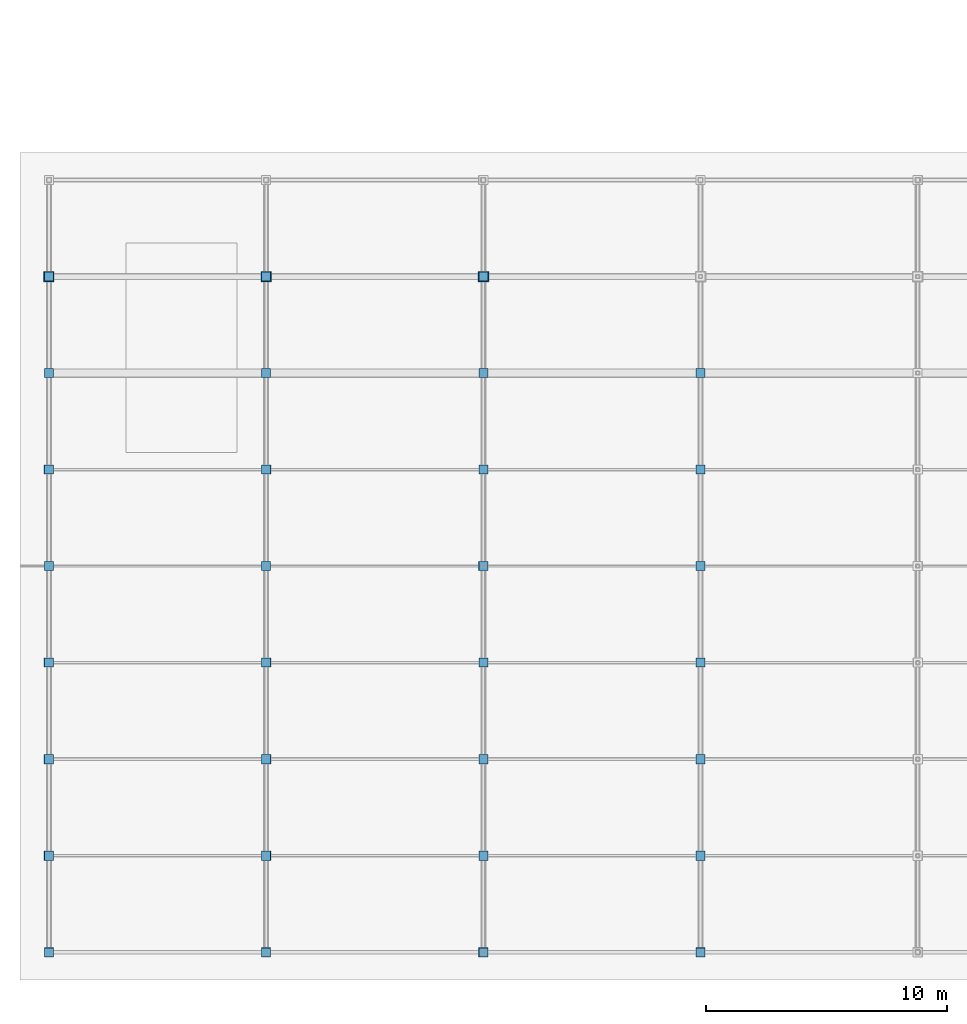
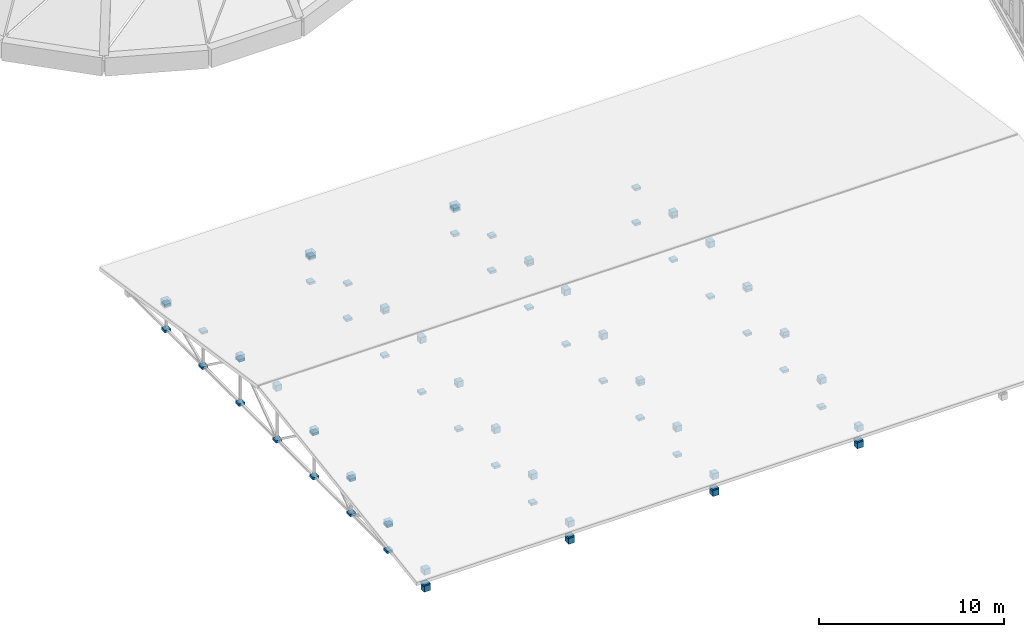
# One storey, part 108 of 118: 85 discrete accessories.
"""IFC4 building model written with IfcOpenShell, lengths in metres."""

from ifc_helpers import new_model, si_unit, direction, frame, origin, place, context, subcontext, project, spatial, polyline, outline, extrude, material, type_object, element, save


model = new_model("IFC4")

# Units and contexts
model_context = context("Model", 3, precision=1e-05, world=origin(), true_north=direction((0.0, 1.0)))
body_context = subcontext(model_context, "Body", "Model", "MODEL_VIEW")
ifc_project = project(units=[si_unit("LENGTHUNIT", "METRE"), si_unit("AREAUNIT", "SQUARE_METRE"), si_unit("VOLUMEUNIT", "CUBIC_METRE"), si_unit("PLANEANGLEUNIT", "RADIAN"), si_unit("MASSUNIT", "GRAM", prefix="KILO"), si_unit("THERMODYNAMICTEMPERATUREUNIT", "KELVIN"), si_unit("POWERUNIT", "WATT")], contexts=[model_context])

# Site, building, storey
site_placement = place(None, origin())
site = spatial("IfcSite", under=ifc_project, at=site_placement, CompositionType="ELEMENT")
building_placement = place(site_placement, origin())
building = spatial("IfcBuilding", under=site, at=building_placement, Name="Zelmaris Science Centre", CompositionType="ELEMENT")
storey_placement = place(building_placement, frame((0.0, 0.0, 15.60009765625)))
storey = spatial("IfcBuildingStorey", under=building, at=storey_placement, Name="L03", CompositionType="ELEMENT", Elevation=15.60009765625)

# Discrete accessories
ifc_material = material(Name="Steel ASTM A500 Grade C", Category="steel")
discrete_accessory_type = type_object("IfcDiscreteAccessoryType", Name="Hollow Section End Cap Plate BK-ECP", PredefinedType="BRACKET", material=ifc_material)
discrete_accessory_1_placement = place(storey_placement, frame((0.0, 0.0, -0.29345703125)))
element("IfcDiscreteAccessory", 1, at=discrete_accessory_1_placement, inside=storey, type_object=discrete_accessory_type, Name="End cap plate 57", PredefinedType="BRACKET", context=body_context, shape_type="SweptSolid", body=[
    extrude(outline(polyline([(8.81103515625, 7.804931640625), (9.18896484375, 7.804931640625), (9.18896484375, 8.18310546875), (8.81103515625, 8.18310546875), (8.81103515625, 7.804931640625)])), origin(), (0.0, 0.0, 1.0), 0.378173828125),
])
discrete_accessory_2_placement = place(storey_placement, frame((0.0, 0.0, 0.803955078125)))
element("IfcDiscreteAccessory", 2, at=discrete_accessory_2_placement, inside=storey, type_object=discrete_accessory_type, Name="End cap plate 59", PredefinedType="BRACKET", context=body_context, shape_type="SweptSolid", body=[
    extrude(outline(polyline([(8.80908203125, 7.80322265625), (9.19091796875, 7.80322265625), (9.19091796875, 8.184814453125), (8.80908203125, 8.184814453125), (8.80908203125, 7.80322265625)])), origin(), (0.0, 0.0, 1.0), 0.381591796875),
])
discrete_accessory_3_placement = place(storey_placement, frame((0.0, 0.0, 3.205810546875)))
element("IfcDiscreteAccessory", 3, at=discrete_accessory_3_placement, inside=storey, type_object=discrete_accessory_type, Name="End cap plate 60", PredefinedType="BRACKET", context=body_context, shape_type="SweptSolid", body=[
    extrude(outline(polyline([(8.80908203125, 23.815185546875), (9.19091796875, 23.815185546875), (9.19091796875, 24.19677734375), (8.80908203125, 24.19677734375), (8.80908203125, 23.815185546875)])), origin(), (0.0, 0.0, 1.0), 0.381591796875),
])
for number, where, name in (
    (4, (0.0, 0.0, -0.189453125), "End cap plate 62"),
    (5, (0.0, 0.0, 1.522705078125), "End cap plate 63"),
):
    element("IfcDiscreteAccessory", number, at=place(storey_placement, frame(where)), inside=storey, type_object=discrete_accessory_type, Name=name, PredefinedType="BRACKET", context=body_context, shape_type="SweptSolid", body=[
        extrude(outline(polyline([(8.81103515625, 11.81103515625), (9.18896484375, 11.81103515625), (9.18896484375, 12.18896484375), (8.81103515625, 12.18896484375), (8.81103515625, 11.81103515625)])), origin(), (0.0, 0.0, 1.0), 0.157958984375),
    ])
for number, where, name in (
    (6, (0.0, 0.0, -0.189453125), "End cap plate 64"),
    (7, (0.0, 0.0, 2.12255859375), "End cap plate 65"),
):
    element("IfcDiscreteAccessory", number, at=place(storey_placement, frame(where)), inside=storey, type_object=discrete_accessory_type, Name=name, PredefinedType="BRACKET", context=body_context, shape_type="SweptSolid", body=[
        extrude(outline(polyline([(8.81103515625, 15.81103515625), (9.18896484375, 15.81103515625), (9.18896484375, 16.18896484375), (8.81103515625, 16.18896484375), (8.81103515625, 15.81103515625)])), origin(), (0.0, 0.0, 1.0), 0.157958984375),
    ])
for number, where, name in (
    (8, (0.0, 0.0, -0.189453125), "End cap plate 66"),
    (9, (0.0, 0.0, 2.72265625), "End cap plate 67"),
):
    element("IfcDiscreteAccessory", number, at=place(storey_placement, frame(where)), inside=storey, type_object=discrete_accessory_type, Name=name, PredefinedType="BRACKET", context=body_context, shape_type="SweptSolid", body=[
        extrude(outline(polyline([(8.81103515625, 19.81103515625), (9.18896484375, 19.81103515625), (9.18896484375, 20.18896484375), (8.81103515625, 20.18896484375), (8.81103515625, 19.81103515625)])), origin(), (0.0, 0.0, 1.0), 0.157958984375),
    ])
discrete_accessory_4_placement = place(storey_placement, frame((0.0, 0.0, -0.189453125)))
element("IfcDiscreteAccessory", 10, at=discrete_accessory_4_placement, inside=storey, type_object=discrete_accessory_type, Name="End cap plate 68", PredefinedType="BRACKET", context=body_context, shape_type="SweptSolid", body=[
    extrude(outline(polyline([(8.81103515625, 23.81103515625), (9.18896484375, 23.81103515625), (9.18896484375, 24.18896484375), (8.81103515625, 24.18896484375), (8.81103515625, 23.81103515625)])), origin(), (0.0, 0.0, 1.0), 0.157958984375),
])
for number, where, name in (
    (11, (0.0, 0.0, -0.189453125), "End cap plate 69"),
    (12, (0.0, 0.0, 2.72265625), "End cap plate 70"),
):
    element("IfcDiscreteAccessory", number, at=place(storey_placement, frame(where)), inside=storey, type_object=discrete_accessory_type, Name=name, PredefinedType="BRACKET", context=body_context, shape_type="SweptSolid", body=[
        extrude(outline(polyline([(8.81103515625, 27.81103515625), (9.18896484375, 27.81103515625), (9.18896484375, 28.18896484375), (8.81103515625, 28.18896484375), (8.81103515625, 27.81103515625)])), origin(), (0.0, 0.0, 1.0), 0.157958984375),
    ])
for number, where, name in (
    (13, (0.0, 0.0, -0.189453125), "End cap plate 71"),
    (14, (0.0, 0.0, 2.12255859375), "End cap plate 72"),
):
    element("IfcDiscreteAccessory", number, at=place(storey_placement, frame(where)), inside=storey, type_object=discrete_accessory_type, Name=name, PredefinedType="BRACKET", context=body_context, shape_type="SweptSolid", body=[
        extrude(outline(polyline([(8.81103515625, 31.81103515625), (9.18896484375, 31.81103515625), (9.18896484375, 32.18896484375), (8.81103515625, 32.18896484375), (8.81103515625, 31.81103515625)])), origin(), (0.0, 0.0, 1.0), 0.157958984375),
    ])
for number, where, name in (
    (15, (0.0, 0.0, -0.189453125), "End cap plate 73"),
    (16, (0.0, 0.0, 1.522705078125), "End cap plate 74"),
):
    element("IfcDiscreteAccessory", number, at=place(storey_placement, frame(where)), inside=storey, type_object=discrete_accessory_type, Name=name, PredefinedType="BRACKET", context=body_context, shape_type="SweptSolid", body=[
        extrude(outline(polyline([(8.81103515625, 35.81103515625), (9.18896484375, 35.81103515625), (9.18896484375, 36.18896484375), (8.81103515625, 36.18896484375), (8.81103515625, 35.81103515625)])), origin(), (0.0, 0.0, 1.0), 0.157958984375),
    ])
discrete_accessory_5_placement = place(storey_placement, frame((0.0, 0.0, 0.014892578125)))
element("IfcDiscreteAccessory", 17, at=discrete_accessory_5_placement, inside=storey, type_object=discrete_accessory_type, Name="End cap plate 75", PredefinedType="BRACKET", context=body_context, shape_type="SweptSolid", body=[
    extrude(outline(polyline([(8.80908203125, 7.80908203125), (9.19091796875, 7.80908203125), (9.19091796875, 8.19091796875), (8.80908203125, 8.19091796875), (8.80908203125, 7.80908203125)])), origin(), (0.0, 0.0, 1.0), 0.157958984375),
])
discrete_accessory_6_placement = place(storey_placement, frame((0.0, 0.0, -0.29345703125)))
element("IfcDiscreteAccessory", 18, at=discrete_accessory_6_placement, inside=storey, type_object=discrete_accessory_type, Name="End cap plate 77", PredefinedType="BRACKET", context=body_context, shape_type="SweptSolid", body=[
    extrude(outline(polyline([(17.81103515625, 7.804931640625), (18.18896484375, 7.804931640625), (18.18896484375, 8.18310546875), (17.81103515625, 8.18310546875), (17.81103515625, 7.804931640625)])), origin(), (0.0, 0.0, 1.0), 0.378173828125),
])
discrete_accessory_7_placement = place(storey_placement, frame((0.0, 0.0, 0.803955078125)))
element("IfcDiscreteAccessory", 19, at=discrete_accessory_7_placement, inside=storey, type_object=discrete_accessory_type, Name="End cap plate 79", PredefinedType="BRACKET", context=body_context, shape_type="SweptSolid", body=[
    extrude(outline(polyline([(17.80908203125, 7.80322265625), (18.19091796875, 7.80322265625), (18.19091796875, 8.184814453125), (17.80908203125, 8.184814453125), (17.80908203125, 7.80322265625)])), origin(), (0.0, 0.0, 1.0), 0.381591796875),
])
discrete_accessory_8_placement = place(storey_placement, frame((0.0, 0.0, 3.205810546875)))
element("IfcDiscreteAccessory", 20, at=discrete_accessory_8_placement, inside=storey, type_object=discrete_accessory_type, Name="End cap plate 80", PredefinedType="BRACKET", context=body_context, shape_type="SweptSolid", body=[
    extrude(outline(polyline([(17.80908203125, 23.815185546875), (18.19091796875, 23.815185546875), (18.19091796875, 24.19677734375), (17.80908203125, 24.19677734375), (17.80908203125, 23.815185546875)])), origin(), (0.0, 0.0, 1.0), 0.381591796875),
])
for number, where, name in (
    (21, (0.0, 0.0, -0.189453125), "End cap plate 82"),
    (22, (0.0, 0.0, 1.522705078125), "End cap plate 83"),
):
    element("IfcDiscreteAccessory", number, at=place(storey_placement, frame(where)), inside=storey, type_object=discrete_accessory_type, Name=name, PredefinedType="BRACKET", context=body_context, shape_type="SweptSolid", body=[
        extrude(outline(polyline([(17.81103515625, 11.81103515625), (18.18896484375, 11.81103515625), (18.18896484375, 12.18896484375), (17.81103515625, 12.18896484375), (17.81103515625, 11.81103515625)])), origin(), (0.0, 0.0, 1.0), 0.157958984375),
    ])
for number, where, name in (
    (23, (0.0, 0.0, -0.189453125), "End cap plate 84"),
    (24, (0.0, 0.0, 2.12255859375), "End cap plate 85"),
):
    element("IfcDiscreteAccessory", number, at=place(storey_placement, frame(where)), inside=storey, type_object=discrete_accessory_type, Name=name, PredefinedType="BRACKET", context=body_context, shape_type="SweptSolid", body=[
        extrude(outline(polyline([(17.81103515625, 15.81103515625), (18.18896484375, 15.81103515625), (18.18896484375, 16.18896484375), (17.81103515625, 16.18896484375), (17.81103515625, 15.81103515625)])), origin(), (0.0, 0.0, 1.0), 0.157958984375),
    ])
for number, where, name in (
    (25, (0.0, 0.0, -0.189453125), "End cap plate 86"),
    (26, (0.0, 0.0, 2.72265625), "End cap plate 87"),
):
    element("IfcDiscreteAccessory", number, at=place(storey_placement, frame(where)), inside=storey, type_object=discrete_accessory_type, Name=name, PredefinedType="BRACKET", context=body_context, shape_type="SweptSolid", body=[
        extrude(outline(polyline([(17.81103515625, 19.81103515625), (18.18896484375, 19.81103515625), (18.18896484375, 20.18896484375), (17.81103515625, 20.18896484375), (17.81103515625, 19.81103515625)])), origin(), (0.0, 0.0, 1.0), 0.157958984375),
    ])
discrete_accessory_9_placement = place(storey_placement, frame((0.0, 0.0, -0.189453125)))
element("IfcDiscreteAccessory", 27, at=discrete_accessory_9_placement, inside=storey, type_object=discrete_accessory_type, Name="End cap plate 88", PredefinedType="BRACKET", context=body_context, shape_type="SweptSolid", body=[
    extrude(outline(polyline([(17.81103515625, 23.81103515625), (18.18896484375, 23.81103515625), (18.18896484375, 24.18896484375), (17.81103515625, 24.18896484375), (17.81103515625, 23.81103515625)])), origin(), (0.0, 0.0, 1.0), 0.157958984375),
])
for number, where, name in (
    (28, (0.0, 0.0, -0.189453125), "End cap plate 89"),
    (29, (0.0, 0.0, 2.72265625), "End cap plate 90"),
):
    element("IfcDiscreteAccessory", number, at=place(storey_placement, frame(where)), inside=storey, type_object=discrete_accessory_type, Name=name, PredefinedType="BRACKET", context=body_context, shape_type="SweptSolid", body=[
        extrude(outline(polyline([(17.81103515625, 27.81103515625), (18.18896484375, 27.81103515625), (18.18896484375, 28.18896484375), (17.81103515625, 28.18896484375), (17.81103515625, 27.81103515625)])), origin(), (0.0, 0.0, 1.0), 0.157958984375),
    ])
for number, where, name in (
    (30, (0.0, 0.0, -0.189453125), "End cap plate 91"),
    (31, (0.0, 0.0, 2.12255859375), "End cap plate 92"),
):
    element("IfcDiscreteAccessory", number, at=place(storey_placement, frame(where)), inside=storey, type_object=discrete_accessory_type, Name=name, PredefinedType="BRACKET", context=body_context, shape_type="SweptSolid", body=[
        extrude(outline(polyline([(17.81103515625, 31.81103515625), (18.18896484375, 31.81103515625), (18.18896484375, 32.18896484375), (17.81103515625, 32.18896484375), (17.81103515625, 31.81103515625)])), origin(), (0.0, 0.0, 1.0), 0.157958984375),
    ])
for number, where, name in (
    (32, (0.0, 0.0, -0.189453125), "End cap plate 93"),
    (33, (0.0, 0.0, 1.522705078125), "End cap plate 94"),
):
    element("IfcDiscreteAccessory", number, at=place(storey_placement, frame(where)), inside=storey, type_object=discrete_accessory_type, Name=name, PredefinedType="BRACKET", context=body_context, shape_type="SweptSolid", body=[
        extrude(outline(polyline([(17.81103515625, 35.81103515625), (18.18896484375, 35.81103515625), (18.18896484375, 36.18896484375), (17.81103515625, 36.18896484375), (17.81103515625, 35.81103515625)])), origin(), (0.0, 0.0, 1.0), 0.157958984375),
    ])
discrete_accessory_10_placement = place(storey_placement, frame((0.0, 0.0, 0.014892578125)))
element("IfcDiscreteAccessory", 34, at=discrete_accessory_10_placement, inside=storey, type_object=discrete_accessory_type, Name="End cap plate 95", PredefinedType="BRACKET", context=body_context, shape_type="SweptSolid", body=[
    extrude(outline(polyline([(17.80908203125, 7.80908203125), (18.19091796875, 7.80908203125), (18.19091796875, 8.19091796875), (17.80908203125, 8.19091796875), (17.80908203125, 7.80908203125)])), origin(), (0.0, 0.0, 1.0), 0.157958984375),
])
discrete_accessory_11_placement = place(storey_placement, frame((0.0, 0.0, -0.29345703125)))
element("IfcDiscreteAccessory", 35, at=discrete_accessory_11_placement, inside=storey, type_object=discrete_accessory_type, Name="End cap plate 97", PredefinedType="BRACKET", context=body_context, shape_type="SweptSolid", body=[
    extrude(outline(polyline([(26.81103515625, 7.804931640625), (27.18896484375, 7.804931640625), (27.18896484375, 8.18310546875), (26.81103515625, 8.18310546875), (26.81103515625, 7.804931640625)])), origin(), (0.0, 0.0, 1.0), 0.378173828125),
])
discrete_accessory_12_placement = place(storey_placement, frame((0.0, 0.0, 0.803955078125)))
element("IfcDiscreteAccessory", 36, at=discrete_accessory_12_placement, inside=storey, type_object=discrete_accessory_type, Name="End cap plate 99", PredefinedType="BRACKET", context=body_context, shape_type="SweptSolid", body=[
    extrude(outline(polyline([(26.80908203125, 7.80322265625), (27.19091796875, 7.80322265625), (27.19091796875, 8.184814453125), (26.80908203125, 8.184814453125), (26.80908203125, 7.80322265625)])), origin(), (0.0, 0.0, 1.0), 0.381591796875),
])
discrete_accessory_13_placement = place(storey_placement, frame((0.0, 0.0, 3.205810546875)))
element("IfcDiscreteAccessory", 37, at=discrete_accessory_13_placement, inside=storey, type_object=discrete_accessory_type, Name="End cap plate 100", PredefinedType="BRACKET", context=body_context, shape_type="SweptSolid", body=[
    extrude(outline(polyline([(26.80908203125, 23.815185546875), (27.19091796875, 23.815185546875), (27.19091796875, 24.19677734375), (26.80908203125, 24.19677734375), (26.80908203125, 23.815185546875)])), origin(), (0.0, 0.0, 1.0), 0.381591796875),
])
for number, where, name in (
    (38, (0.0, 0.0, -0.189453125), "End cap plate 102"),
    (39, (0.0, 0.0, 1.522705078125), "End cap plate 103"),
):
    element("IfcDiscreteAccessory", number, at=place(storey_placement, frame(where)), inside=storey, type_object=discrete_accessory_type, Name=name, PredefinedType="BRACKET", context=body_context, shape_type="SweptSolid", body=[
        extrude(outline(polyline([(26.81103515625, 11.81103515625), (27.18896484375, 11.81103515625), (27.18896484375, 12.18896484375), (26.81103515625, 12.18896484375), (26.81103515625, 11.81103515625)])), origin(), (0.0, 0.0, 1.0), 0.157958984375),
    ])
for number, where, name in (
    (40, (0.0, 0.0, -0.189453125), "End cap plate 104"),
    (41, (0.0, 0.0, 2.12255859375), "End cap plate 105"),
):
    element("IfcDiscreteAccessory", number, at=place(storey_placement, frame(where)), inside=storey, type_object=discrete_accessory_type, Name=name, PredefinedType="BRACKET", context=body_context, shape_type="SweptSolid", body=[
        extrude(outline(polyline([(26.81103515625, 15.81103515625), (27.18896484375, 15.81103515625), (27.18896484375, 16.18896484375), (26.81103515625, 16.18896484375), (26.81103515625, 15.81103515625)])), origin(), (0.0, 0.0, 1.0), 0.157958984375),
    ])
for number, where, name in (
    (42, (0.0, 0.0, -0.189453125), "End cap plate 106"),
    (43, (0.0, 0.0, 2.72265625), "End cap plate 107"),
):
    element("IfcDiscreteAccessory", number, at=place(storey_placement, frame(where)), inside=storey, type_object=discrete_accessory_type, Name=name, PredefinedType="BRACKET", context=body_context, shape_type="SweptSolid", body=[
        extrude(outline(polyline([(26.81103515625, 19.81103515625), (27.18896484375, 19.81103515625), (27.18896484375, 20.18896484375), (26.81103515625, 20.18896484375), (26.81103515625, 19.81103515625)])), origin(), (0.0, 0.0, 1.0), 0.157958984375),
    ])
discrete_accessory_14_placement = place(storey_placement, frame((0.0, 0.0, -0.189453125)))
element("IfcDiscreteAccessory", 44, at=discrete_accessory_14_placement, inside=storey, type_object=discrete_accessory_type, Name="End cap plate 108", PredefinedType="BRACKET", context=body_context, shape_type="SweptSolid", body=[
    extrude(outline(polyline([(26.81103515625, 23.81103515625), (27.18896484375, 23.81103515625), (27.18896484375, 24.18896484375), (26.81103515625, 24.18896484375), (26.81103515625, 23.81103515625)])), origin(), (0.0, 0.0, 1.0), 0.157958984375),
])
for number, where, name in (
    (45, (0.0, 0.0, -0.189453125), "End cap plate 109"),
    (46, (0.0, 0.0, 2.72265625), "End cap plate 110"),
):
    element("IfcDiscreteAccessory", number, at=place(storey_placement, frame(where)), inside=storey, type_object=discrete_accessory_type, Name=name, PredefinedType="BRACKET", context=body_context, shape_type="SweptSolid", body=[
        extrude(outline(polyline([(26.81103515625, 27.81103515625), (27.18896484375, 27.81103515625), (27.18896484375, 28.18896484375), (26.81103515625, 28.18896484375), (26.81103515625, 27.81103515625)])), origin(), (0.0, 0.0, 1.0), 0.157958984375),
    ])
for number, where, name in (
    (47, (0.0, 0.0, -0.189453125), "End cap plate 111"),
    (48, (0.0, 0.0, 2.12255859375), "End cap plate 112"),
):
    element("IfcDiscreteAccessory", number, at=place(storey_placement, frame(where)), inside=storey, type_object=discrete_accessory_type, Name=name, PredefinedType="BRACKET", context=body_context, shape_type="SweptSolid", body=[
        extrude(outline(polyline([(26.81103515625, 31.81103515625), (27.18896484375, 31.81103515625), (27.18896484375, 32.18896484375), (26.81103515625, 32.18896484375), (26.81103515625, 31.81103515625)])), origin(), (0.0, 0.0, 1.0), 0.157958984375),
    ])
for number, where, name in (
    (49, (0.0, 0.0, -0.189453125), "End cap plate 113"),
    (50, (0.0, 0.0, 1.522705078125), "End cap plate 114"),
):
    element("IfcDiscreteAccessory", number, at=place(storey_placement, frame(where)), inside=storey, type_object=discrete_accessory_type, Name=name, PredefinedType="BRACKET", context=body_context, shape_type="SweptSolid", body=[
        extrude(outline(polyline([(26.81103515625, 35.81103515625), (27.18896484375, 35.81103515625), (27.18896484375, 36.18896484375), (26.81103515625, 36.18896484375), (26.81103515625, 35.81103515625)])), origin(), (0.0, 0.0, 1.0), 0.157958984375),
    ])
discrete_accessory_15_placement = place(storey_placement, frame((0.0, 0.0, 0.014892578125)))
element("IfcDiscreteAccessory", 51, at=discrete_accessory_15_placement, inside=storey, type_object=discrete_accessory_type, Name="End cap plate 115", PredefinedType="BRACKET", context=body_context, shape_type="SweptSolid", body=[
    extrude(outline(polyline([(26.80908203125, 7.80908203125), (27.19091796875, 7.80908203125), (27.19091796875, 8.19091796875), (26.80908203125, 8.19091796875), (26.80908203125, 7.80908203125)])), origin(), (0.0, 0.0, 1.0), 0.157958984375),
])
discrete_accessory_16_placement = place(storey_placement, frame((0.0, 0.0, -0.29345703125)))
element("IfcDiscreteAccessory", 52, at=discrete_accessory_16_placement, inside=storey, type_object=discrete_accessory_type, Name="End cap plate 117", PredefinedType="BRACKET", context=body_context, shape_type="SweptSolid", body=[
    extrude(outline(polyline([(35.81103515625, 7.804931640625), (36.18896484375, 7.804931640625), (36.18896484375, 8.18310546875), (35.81103515625, 8.18310546875), (35.81103515625, 7.804931640625)])), origin(), (0.0, 0.0, 1.0), 0.378173828125),
])
discrete_accessory_17_placement = place(storey_placement, frame((0.0, 0.0, 0.803955078125)))
element("IfcDiscreteAccessory", 53, at=discrete_accessory_17_placement, inside=storey, type_object=discrete_accessory_type, Name="End cap plate 119", PredefinedType="BRACKET", context=body_context, shape_type="SweptSolid", body=[
    extrude(outline(polyline([(35.80908203125, 7.80322265625), (36.19091796875, 7.80322265625), (36.19091796875, 8.184814453125), (35.80908203125, 8.184814453125), (35.80908203125, 7.80322265625)])), origin(), (0.0, 0.0, 1.0), 0.381591796875),
])
discrete_accessory_18_placement = place(storey_placement, frame((0.0, 0.0, 3.205810546875)))
element("IfcDiscreteAccessory", 54, at=discrete_accessory_18_placement, inside=storey, type_object=discrete_accessory_type, Name="End cap plate 120", PredefinedType="BRACKET", context=body_context, shape_type="SweptSolid", body=[
    extrude(outline(polyline([(35.80908203125, 23.815185546875), (36.19091796875, 23.815185546875), (36.19091796875, 24.19677734375), (35.80908203125, 24.19677734375), (35.80908203125, 23.815185546875)])), origin(), (0.0, 0.0, 1.0), 0.381591796875),
])
for number, where, name in (
    (55, (0.0, 0.0, -0.189453125), "End cap plate 122"),
    (56, (0.0, 0.0, 1.522705078125), "End cap plate 123"),
):
    element("IfcDiscreteAccessory", number, at=place(storey_placement, frame(where)), inside=storey, type_object=discrete_accessory_type, Name=name, PredefinedType="BRACKET", context=body_context, shape_type="SweptSolid", body=[
        extrude(outline(polyline([(35.81103515625, 11.81103515625), (36.18896484375, 11.81103515625), (36.18896484375, 12.18896484375), (35.81103515625, 12.18896484375), (35.81103515625, 11.81103515625)])), origin(), (0.0, 0.0, 1.0), 0.157958984375),
    ])
for number, where, name in (
    (57, (0.0, 0.0, -0.189453125), "End cap plate 124"),
    (58, (0.0, 0.0, 2.12255859375), "End cap plate 125"),
):
    element("IfcDiscreteAccessory", number, at=place(storey_placement, frame(where)), inside=storey, type_object=discrete_accessory_type, Name=name, PredefinedType="BRACKET", context=body_context, shape_type="SweptSolid", body=[
        extrude(outline(polyline([(35.81103515625, 15.81103515625), (36.18896484375, 15.81103515625), (36.18896484375, 16.18896484375), (35.81103515625, 16.18896484375), (35.81103515625, 15.81103515625)])), origin(), (0.0, 0.0, 1.0), 0.157958984375),
    ])
for number, where, name in (
    (59, (0.0, 0.0, -0.189453125), "End cap plate 126"),
    (60, (0.0, 0.0, 2.72265625), "End cap plate 127"),
):
    element("IfcDiscreteAccessory", number, at=place(storey_placement, frame(where)), inside=storey, type_object=discrete_accessory_type, Name=name, PredefinedType="BRACKET", context=body_context, shape_type="SweptSolid", body=[
        extrude(outline(polyline([(35.81103515625, 19.81103515625), (36.18896484375, 19.81103515625), (36.18896484375, 20.18896484375), (35.81103515625, 20.18896484375), (35.81103515625, 19.81103515625)])), origin(), (0.0, 0.0, 1.0), 0.157958984375),
    ])
discrete_accessory_19_placement = place(storey_placement, frame((0.0, 0.0, -0.189453125)))
element("IfcDiscreteAccessory", 61, at=discrete_accessory_19_placement, inside=storey, type_object=discrete_accessory_type, Name="End cap plate 128", PredefinedType="BRACKET", context=body_context, shape_type="SweptSolid", body=[
    extrude(outline(polyline([(35.81103515625, 23.81103515625), (36.18896484375, 23.81103515625), (36.18896484375, 24.18896484375), (35.81103515625, 24.18896484375), (35.81103515625, 23.81103515625)])), origin(), (0.0, 0.0, 1.0), 0.157958984375),
])
for number, where, name in (
    (62, (0.0, 0.0, -0.189453125), "End cap plate 129"),
    (63, (0.0, 0.0, 2.72265625), "End cap plate 130"),
):
    element("IfcDiscreteAccessory", number, at=place(storey_placement, frame(where)), inside=storey, type_object=discrete_accessory_type, Name=name, PredefinedType="BRACKET", context=body_context, shape_type="SweptSolid", body=[
        extrude(outline(polyline([(35.81103515625, 27.81103515625), (36.18896484375, 27.81103515625), (36.18896484375, 28.18896484375), (35.81103515625, 28.18896484375), (35.81103515625, 27.81103515625)])), origin(), (0.0, 0.0, 1.0), 0.157958984375),
    ])
for number, where, name in (
    (64, (0.0, 0.0, -0.189453125), "End cap plate 131"),
    (65, (0.0, 0.0, 2.12255859375), "End cap plate 132"),
):
    element("IfcDiscreteAccessory", number, at=place(storey_placement, frame(where)), inside=storey, type_object=discrete_accessory_type, Name=name, PredefinedType="BRACKET", context=body_context, shape_type="SweptSolid", body=[
        extrude(outline(polyline([(35.81103515625, 31.81103515625), (36.18896484375, 31.81103515625), (36.18896484375, 32.18896484375), (35.81103515625, 32.18896484375), (35.81103515625, 31.81103515625)])), origin(), (0.0, 0.0, 1.0), 0.157958984375),
    ])
discrete_accessory_20_placement = place(storey_placement, frame((0.0, 0.0, 0.014892578125)))
element("IfcDiscreteAccessory", 66, at=discrete_accessory_20_placement, inside=storey, type_object=discrete_accessory_type, Name="End cap plate 135", PredefinedType="BRACKET", context=body_context, shape_type="SweptSolid", body=[
    extrude(outline(polyline([(35.80908203125, 7.80908203125), (36.19091796875, 7.80908203125), (36.19091796875, 8.19091796875), (35.80908203125, 8.19091796875), (35.80908203125, 7.80908203125)])), origin(), (0.0, 0.0, 1.0), 0.157958984375),
])
discrete_accessory_21_placement = place(storey_placement, frame((0.0, 0.0, 1.499755859375)))
element("IfcDiscreteAccessory", 67, at=discrete_accessory_21_placement, inside=storey, type_object=discrete_accessory_type, Name="End cap plate 177", PredefinedType="BRACKET", context=body_context, shape_type="SweptSolid", body=[
    extrude(outline(polyline([(8.80322265625, 11.80908203125), (9.184814453125, 11.80908203125), (9.184814453125, 12.19091796875), (8.80322265625, 12.19091796875), (8.80322265625, 11.80908203125)])), origin(), (0.0, 0.0, 1.0), 0.381591796875),
])
discrete_accessory_22_placement = place(storey_placement, frame((0.0, 0.0, 1.499755859375)))
element("IfcDiscreteAccessory", 68, at=discrete_accessory_22_placement, inside=storey, type_object=discrete_accessory_type, Name="End cap plate 178", PredefinedType="BRACKET", context=body_context, shape_type="SweptSolid", body=[
    extrude(outline(polyline([(17.815185546875, 11.80908203125), (18.19677734375, 11.80908203125), (18.19677734375, 12.19091796875), (17.815185546875, 12.19091796875), (17.815185546875, 11.80908203125)])), origin(), (0.0, 0.0, 1.0), 0.381591796875),
])
discrete_accessory_23_placement = place(storey_placement, frame((0.0, 0.0, 2.1142578125)))
element("IfcDiscreteAccessory", 69, at=discrete_accessory_23_placement, inside=storey, type_object=discrete_accessory_type, Name="End cap plate 179", PredefinedType="BRACKET", context=body_context, shape_type="SweptSolid", body=[
    extrude(outline(polyline([(8.804931640625, 15.81103515625), (9.18310546875, 15.81103515625), (9.18310546875, 16.18896484375), (8.804931640625, 16.18896484375), (8.804931640625, 15.81103515625)])), origin(), (0.0, 0.0, 1.0), 0.3779296875),
])
discrete_accessory_24_placement = place(storey_placement, frame((0.0, 0.0, 2.1142578125)))
element("IfcDiscreteAccessory", 70, at=discrete_accessory_24_placement, inside=storey, type_object=discrete_accessory_type, Name="End cap plate 180", PredefinedType="BRACKET", context=body_context, shape_type="SweptSolid", body=[
    extrude(outline(polyline([(17.81689453125, 15.81103515625), (18.195068359375, 15.81103515625), (18.195068359375, 16.18896484375), (17.81689453125, 16.18896484375), (17.81689453125, 15.81103515625)])), origin(), (0.0, 0.0, 1.0), 0.3779296875),
])
discrete_accessory_25_placement = place(storey_placement, frame((0.0, 0.0, 2.72705078125)))
element("IfcDiscreteAccessory", 71, at=discrete_accessory_25_placement, inside=storey, type_object=discrete_accessory_type, Name="End cap plate 181", PredefinedType="BRACKET", context=body_context, shape_type="SweptSolid", body=[
    extrude(outline(polyline([(8.804931640625, 19.81103515625), (9.18310546875, 19.81103515625), (9.18310546875, 20.18896484375), (8.804931640625, 20.18896484375), (8.804931640625, 19.81103515625)])), origin(), (0.0, 0.0, 1.0), 0.3779296875),
])
discrete_accessory_26_placement = place(storey_placement, frame((0.0, 0.0, 2.72705078125)))
element("IfcDiscreteAccessory", 72, at=discrete_accessory_26_placement, inside=storey, type_object=discrete_accessory_type, Name="End cap plate 182", PredefinedType="BRACKET", context=body_context, shape_type="SweptSolid", body=[
    extrude(outline(polyline([(17.81689453125, 19.81103515625), (18.195068359375, 19.81103515625), (18.195068359375, 20.18896484375), (17.81689453125, 20.18896484375), (17.81689453125, 19.81103515625)])), origin(), (0.0, 0.0, 1.0), 0.3779296875),
])
discrete_accessory_27_placement = place(storey_placement, frame((0.0, 0.0, 2.75244140625)))
element("IfcDiscreteAccessory", 73, at=discrete_accessory_27_placement, inside=storey, type_object=discrete_accessory_type, Name="End cap plate 183", PredefinedType="BRACKET", context=body_context, shape_type="SweptSolid", body=[
    extrude(outline(polyline([(8.804931640625, 27.81103515625), (9.18310546875, 27.81103515625), (9.18310546875, 28.18896484375), (8.804931640625, 28.18896484375), (8.804931640625, 27.81103515625)])), origin(), (0.0, 0.0, 1.0), 0.3779296875),
])
discrete_accessory_28_placement = place(storey_placement, frame((0.0, 0.0, 2.75244140625)))
element("IfcDiscreteAccessory", 74, at=discrete_accessory_28_placement, inside=storey, type_object=discrete_accessory_type, Name="End cap plate 184", PredefinedType="BRACKET", context=body_context, shape_type="SweptSolid", body=[
    extrude(outline(polyline([(17.81689453125, 27.81103515625), (18.195068359375, 27.81103515625), (18.195068359375, 28.18896484375), (17.81689453125, 28.18896484375), (17.81689453125, 27.81103515625)])), origin(), (0.0, 0.0, 1.0), 0.3779296875),
])
discrete_accessory_29_placement = place(storey_placement, frame((0.0, 0.0, 1.446044921875)))
element("IfcDiscreteAccessory", 75, at=discrete_accessory_29_placement, inside=storey, type_object=discrete_accessory_type, Name="End cap plate 185", PredefinedType="BRACKET", context=body_context, shape_type="SweptSolid", body=[
    extrude(outline(polyline([(8.77490234375, 35.78076171875), (9.213134765625, 35.78076171875), (9.213134765625, 36.21923828125), (8.77490234375, 36.21923828125), (8.77490234375, 35.78076171875)])), origin(), (0.0, 0.0, 1.0), 0.4384765625),
])
discrete_accessory_30_placement = place(storey_placement, frame((0.0, 0.0, 1.446044921875)))
element("IfcDiscreteAccessory", 76, at=discrete_accessory_30_placement, inside=storey, type_object=discrete_accessory_type, Name="End cap plate 186", PredefinedType="BRACKET", context=body_context, shape_type="SweptSolid", body=[
    extrude(outline(polyline([(17.786865234375, 35.78076171875), (18.22509765625, 35.78076171875), (18.22509765625, 36.21923828125), (17.786865234375, 36.21923828125), (17.786865234375, 35.78076171875)])), origin(), (0.0, 0.0, 1.0), 0.4384765625),
])
discrete_accessory_31_placement = place(storey_placement, frame((0.0, 0.0, 1.499755859375)))
element("IfcDiscreteAccessory", 77, at=discrete_accessory_31_placement, inside=storey, type_object=discrete_accessory_type, Name="End cap plate 187", PredefinedType="BRACKET", context=body_context, shape_type="SweptSolid", body=[
    extrude(outline(polyline([(26.815185546875, 11.80908203125), (27.19677734375, 11.80908203125), (27.19677734375, 12.19091796875), (26.815185546875, 12.19091796875), (26.815185546875, 11.80908203125)])), origin(), (0.0, 0.0, 1.0), 0.381591796875),
])
discrete_accessory_32_placement = place(storey_placement, frame((0.0, 0.0, 2.1142578125)))
element("IfcDiscreteAccessory", 78, at=discrete_accessory_32_placement, inside=storey, type_object=discrete_accessory_type, Name="End cap plate 188", PredefinedType="BRACKET", context=body_context, shape_type="SweptSolid", body=[
    extrude(outline(polyline([(26.81689453125, 15.81103515625), (27.195068359375, 15.81103515625), (27.195068359375, 16.18896484375), (26.81689453125, 16.18896484375), (26.81689453125, 15.81103515625)])), origin(), (0.0, 0.0, 1.0), 0.3779296875),
])
discrete_accessory_33_placement = place(storey_placement, frame((0.0, 0.0, 2.72705078125)))
element("IfcDiscreteAccessory", 79, at=discrete_accessory_33_placement, inside=storey, type_object=discrete_accessory_type, Name="End cap plate 189", PredefinedType="BRACKET", context=body_context, shape_type="SweptSolid", body=[
    extrude(outline(polyline([(26.81689453125, 19.81103515625), (27.195068359375, 19.81103515625), (27.195068359375, 20.18896484375), (26.81689453125, 20.18896484375), (26.81689453125, 19.81103515625)])), origin(), (0.0, 0.0, 1.0), 0.3779296875),
])
discrete_accessory_34_placement = place(storey_placement, frame((0.0, 0.0, 2.75244140625)))
element("IfcDiscreteAccessory", 80, at=discrete_accessory_34_placement, inside=storey, type_object=discrete_accessory_type, Name="End cap plate 190", PredefinedType="BRACKET", context=body_context, shape_type="SweptSolid", body=[
    extrude(outline(polyline([(26.81689453125, 27.81103515625), (27.195068359375, 27.81103515625), (27.195068359375, 28.18896484375), (26.81689453125, 28.18896484375), (26.81689453125, 27.81103515625)])), origin(), (0.0, 0.0, 1.0), 0.3779296875),
])
discrete_accessory_35_placement = place(storey_placement, frame((0.0, 0.0, 1.446044921875)))
element("IfcDiscreteAccessory", 81, at=discrete_accessory_35_placement, inside=storey, type_object=discrete_accessory_type, Name="End cap plate 191", PredefinedType="BRACKET", context=body_context, shape_type="SweptSolid", body=[
    extrude(outline(polyline([(26.786865234375, 35.78076171875), (27.22509765625, 35.78076171875), (27.22509765625, 36.21923828125), (26.786865234375, 36.21923828125), (26.786865234375, 35.78076171875)])), origin(), (0.0, 0.0, 1.0), 0.4384765625),
])
discrete_accessory_36_placement = place(storey_placement, frame((0.0, 0.0, 1.499755859375)))
element("IfcDiscreteAccessory", 82, at=discrete_accessory_36_placement, inside=storey, type_object=discrete_accessory_type, Name="End cap plate 192", PredefinedType="BRACKET", context=body_context, shape_type="SweptSolid", body=[
    extrude(outline(polyline([(35.815185546875, 11.80908203125), (36.19677734375, 11.80908203125), (36.19677734375, 12.19091796875), (35.815185546875, 12.19091796875), (35.815185546875, 11.80908203125)])), origin(), (0.0, 0.0, 1.0), 0.381591796875),
])
discrete_accessory_37_placement = place(storey_placement, frame((0.0, 0.0, 2.1142578125)))
element("IfcDiscreteAccessory", 83, at=discrete_accessory_37_placement, inside=storey, type_object=discrete_accessory_type, Name="End cap plate 193", PredefinedType="BRACKET", context=body_context, shape_type="SweptSolid", body=[
    extrude(outline(polyline([(35.81689453125, 15.81103515625), (36.195068359375, 15.81103515625), (36.195068359375, 16.18896484375), (35.81689453125, 16.18896484375), (35.81689453125, 15.81103515625)])), origin(), (0.0, 0.0, 1.0), 0.3779296875),
])
discrete_accessory_38_placement = place(storey_placement, frame((0.0, 0.0, 2.72705078125)))
element("IfcDiscreteAccessory", 84, at=discrete_accessory_38_placement, inside=storey, type_object=discrete_accessory_type, Name="End cap plate 194", PredefinedType="BRACKET", context=body_context, shape_type="SweptSolid", body=[
    extrude(outline(polyline([(35.81689453125, 19.81103515625), (36.195068359375, 19.81103515625), (36.195068359375, 20.18896484375), (35.81689453125, 20.18896484375), (35.81689453125, 19.81103515625)])), origin(), (0.0, 0.0, 1.0), 0.3779296875),
])
discrete_accessory_39_placement = place(storey_placement, frame((0.0, 0.0, 2.75244140625)))
element("IfcDiscreteAccessory", 85, at=discrete_accessory_39_placement, inside=storey, type_object=discrete_accessory_type, Name="End cap plate 195", PredefinedType="BRACKET", context=body_context, shape_type="SweptSolid", body=[
    extrude(outline(polyline([(35.81689453125, 27.81103515625), (36.195068359375, 27.81103515625), (36.195068359375, 28.18896484375), (35.81689453125, 28.18896484375), (35.81689453125, 27.81103515625)])), origin(), (0.0, 0.0, 1.0), 0.3779296875),
])

save(model, "model.ifc")
